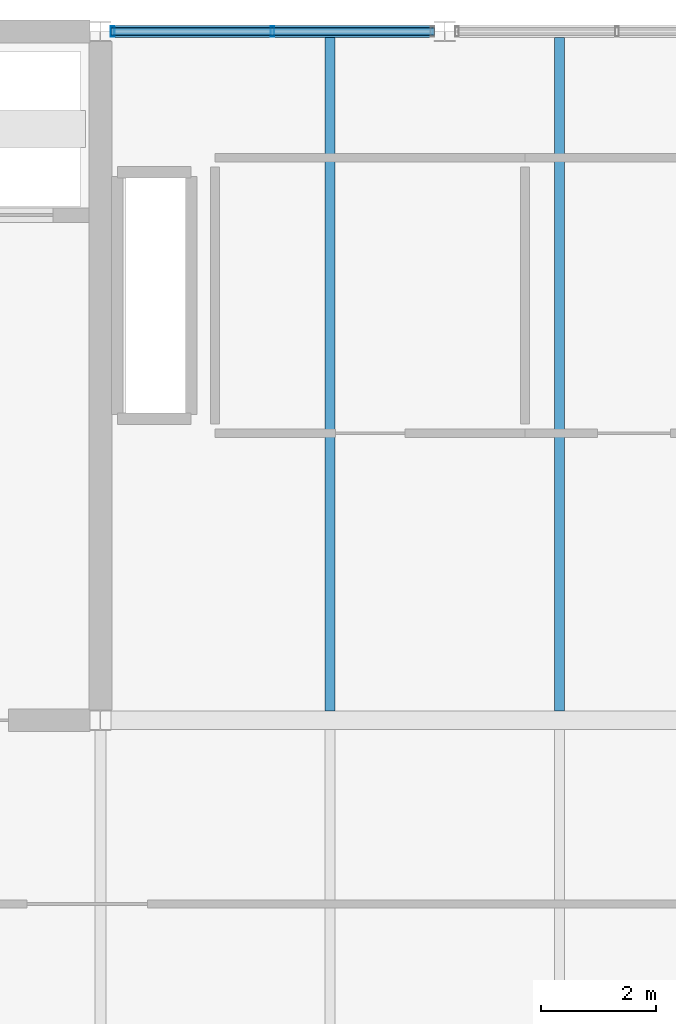
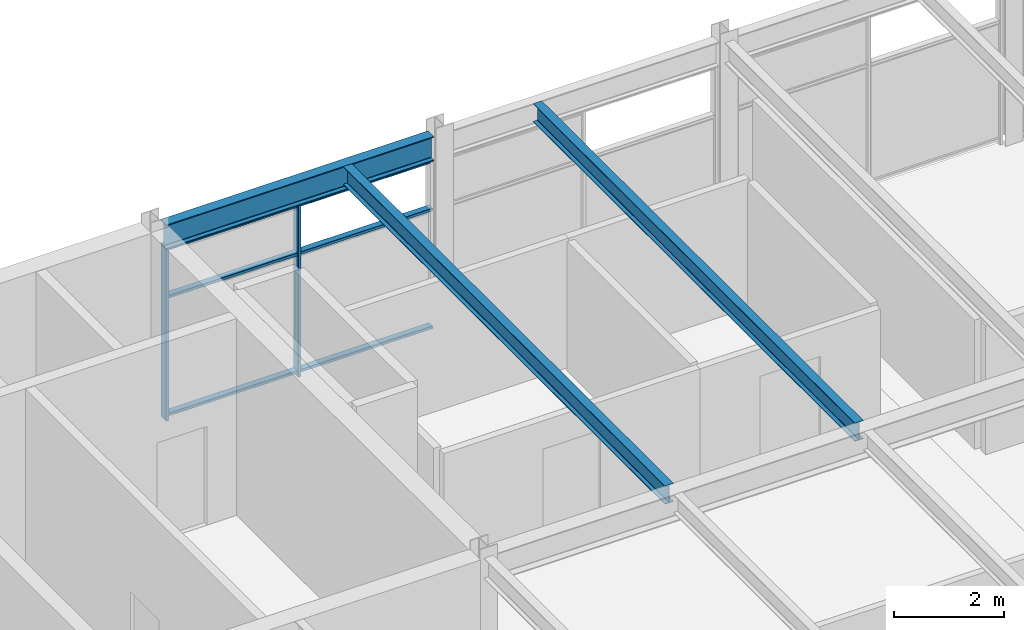
# One storey, part 10 of 28: 5 members, 3 beams, 1 element without a shape of its own.
"""IFC4 building model written with IfcOpenShell, lengths in metres."""

from ifc_helpers import new_model, si_unit, direction, frame, origin, origin_2d, place, context, subcontext, project, spatial, hollow_rectangle, i_section, extrude, material, material_profile, profile_set, type_object, element, aggregate, save


model = new_model("IFC4")

# Units and contexts
model_context = context("Model", 3, precision=1e-05, world=origin(), true_north=direction((0.0, 1.0)))
body_context = subcontext(model_context, "Body", "Model", "MODEL_VIEW")
ifc_project = project(units=[si_unit("LENGTHUNIT", "METRE"), si_unit("AREAUNIT", "SQUARE_METRE"), si_unit("VOLUMEUNIT", "CUBIC_METRE"), si_unit("PLANEANGLEUNIT", "RADIAN"), si_unit("MASSUNIT", "GRAM", prefix="KILO")], contexts=[model_context])

# Site, building, storey
site_placement = place(None, origin())
site = spatial("IfcSite", under=ifc_project, at=site_placement, CompositionType="ELEMENT")
building_placement = place(site_placement, origin())
building = spatial("IfcBuilding", under=site, at=building_placement, Name="Girod Span Mobility Hub", CompositionType="ELEMENT")
storey_placement = place(building_placement, frame((0.0, 0.0, 69.60009765625)))
storey = spatial("IfcBuildingStorey", under=building, at=storey_placement, Name="L17", CompositionType="ELEMENT", Elevation=69.60009765625)

# Beams
ifc_material_1 = material(Name="Steel A992 Grade 50", Category="steel")
ifc_material_profile_1 = material_profile(ifc_material_1, i_section(OverallWidth=0.178955078125, OverallDepth=0.409912109375, WebThickness=0.0087890625, FlangeThickness=0.014404296875, FilletRadius=0.012939453125, at=origin_2d()), Name="W16X45")
ifc_profile_set_1 = profile_set([ifc_material_profile_1], Name="Steel A992 Grade 50")
beam_type_1 = type_object("IfcBeamType", Name="BM-STL-W16X45", PredefinedType="BEAM", material=ifc_profile_set_1)
for number, where, z_axis, x_axis, name in (
    (1, (64.0, 57.158935546875, 4.1748046875), (0.0, 1.0, 0.0), (-1.0, 0.0, 0.0), "Composite Floorbeam 6/E-1 L17"),
    (2, (68.0, 57.158935546875, 4.1748046875), (0.0, 1.0, 0.0), (-1.0, 0.0, 0.0), "Composite Floorbeam 6/E-2 L17"),
):
    element("IfcBeam", number, at=place(storey_placement, frame(where, z_axis=z_axis, x_axis=x_axis)), inside=storey, type_object=beam_type_1, Name=name, PredefinedType="BEAM", context=body_context, shape_type="SweptSolid", body=[
        extrude(i_section(OverallWidth=0.178955078125, OverallDepth=0.409912109375, WebThickness=0.0087890625, FlangeThickness=0.014404296875, FilletRadius=0.012939453125, at=origin_2d()), origin(), (0.0, 0.0, 1.0), 11.738037109375),
    ])
ifc_material_2 = material(Name="Steel A992 Grade 50", Category="steel")
ifc_material_profile_2 = material_profile(ifc_material_2, i_section(OverallWidth=0.2119140625, OverallDepth=0.5439453125, WebThickness=0.01318359375, FlangeThickness=0.021240234375, FilletRadius=0.014892578125, at=origin_2d()), Name="W21X83")
ifc_profile_set_2 = profile_set([ifc_material_profile_2], Name="Steel A992 Grade 50")
beam_type_2 = type_object("IfcBeamType", Name="BM-STL-W21X83", PredefinedType="SPANDREL", material=ifc_profile_set_2)
beam_placement = place(storey_placement, frame((60.181396484375, 69.0, 4.10791015625), z_axis=(1.0, 0.0, 0.0), x_axis=(0.0, 1.0, 0.0)))
element("IfcBeam", 3, at=beam_placement, inside=storey, type_object=beam_type_2, Name="Spandrel Beam 6-7/F-W L17", PredefinedType="SPANDREL", context=body_context, shape_type="SweptSolid", body=[
    extrude(i_section(OverallWidth=0.2119140625, OverallDepth=0.5439453125, WebThickness=0.01318359375, FlangeThickness=0.021240234375, FilletRadius=0.014892578125, at=origin_2d()), origin(), (0.0, 0.0, 1.0), 5.63720703125),
])

# Curtain wall, members
ifc_material_3 = material(Name="Thermally Broken Anodised Aluminium", Category="aluminium")
curtain_wall_type = type_object("IfcCurtainWallType", Name="CW-564X384", PredefinedType="USERDEFINED", material=ifc_material_3)
curtain_wall_placement = place(storey_placement, origin())
curtain_wall = element("IfcCurtainWall", 4, at=curtain_wall_placement, inside=storey, type_object=curtain_wall_type, Name="Unitised Curtain Wall CW-L17-N06W L17", ObjectType="UNITISED CURTAIN WALL", PredefinedType="USERDEFINED")
ifc_material_4 = material(Name="Thermally Broken Anodised Aluminium", Category="aluminium")
ifc_material_profile_3 = material_profile(ifc_material_4, hollow_rectangle(XDim=0.179931640625, YDim=0.06494140625, WallThickness=0.00390625, InnerFilletRadius=0.00390625, OuterFilletRadius=0.008056640625, at=origin_2d()), Name="CW-ML-65X180")
ifc_profile_set_3 = profile_set([ifc_material_profile_3], Name="Thermally Broken Anodised Aluminium")
member_type_1 = type_object("IfcMemberType", Name="CWM-ML-2", PredefinedType="MULLION", material=ifc_profile_set_3)
member_1_placement = place(storey_placement, frame((60.214599609375, 69.0, 0.0), z_axis=(0.0, 0.0, 1.0), x_axis=(0.0, 1.0, 0.0)))
member_1 = element("IfcMember", 5, at=member_1_placement, type_object=member_type_1, Name="Curtain Wall Mullion CW-L17-N06W-M0", PredefinedType="MULLION", context=body_context, shape_type="SweptSolid", body=[
    extrude(hollow_rectangle(XDim=0.179931640625, YDim=0.06494140625, WallThickness=0.00390625, InnerFilletRadius=0.00390625, OuterFilletRadius=0.008056640625, at=origin_2d()), origin(), (0.0, 0.0, 1.0), 3.8359375),
])
member_2_placement = place(storey_placement, frame((63.0, 69.0, 0.0), z_axis=(0.0, 0.0, 1.0), x_axis=(0.0, 1.0, 0.0)))
member_2 = element("IfcMember", 6, at=member_2_placement, type_object=member_type_1, Name="Curtain Wall Mullion CW-L17-N06W-M1", PredefinedType="MULLION", context=body_context, shape_type="SweptSolid", body=[
    extrude(hollow_rectangle(XDim=0.179931640625, YDim=0.06494140625, WallThickness=0.00390625, InnerFilletRadius=0.00390625, OuterFilletRadius=0.008056640625, at=origin_2d()), origin(), (0.0, 0.0, 1.0), 3.8359375),
])
ifc_material_5 = material(Name="Thermally Broken Anodised Aluminium", Category="aluminium")
ifc_material_profile_4 = material_profile(ifc_material_5, hollow_rectangle(XDim=0.135009765625, YDim=0.06494140625, WallThickness=0.00390625, InnerFilletRadius=0.00390625, OuterFilletRadius=0.008056640625, at=origin_2d()), Name="CW-TR-65X135")
ifc_profile_set_4 = profile_set([ifc_material_profile_4], Name="Thermally Broken Anodised Aluminium")
member_type_2 = type_object("IfcMemberType", Name="CWM-TR-2", PredefinedType="USERDEFINED", material=ifc_profile_set_4)
member_3_placement = place(storey_placement, frame((60.1826171875, 69.0, 0.107421875), z_axis=(1.0, 0.0, 0.0), x_axis=(0.0, 1.0, 0.0)))
member_3 = element("IfcMember", 7, at=member_3_placement, type_object=member_type_2, Name="Curtain Wall Transom CW-L17-N06W-T1", ObjectType="TRANSOM", PredefinedType="USERDEFINED", context=body_context, shape_type="SweptSolid", body=[
    extrude(hollow_rectangle(XDim=0.135009765625, YDim=0.06494140625, WallThickness=0.00390625, InnerFilletRadius=0.00390625, OuterFilletRadius=0.008056640625, at=origin_2d()), origin(), (0.0, 0.0, 1.0), 5.634765625),
])
member_4_placement = place(storey_placement, frame((60.1826171875, 69.0, 2.729248046875), z_axis=(1.0, 0.0, 0.0), x_axis=(0.0, 1.0, 0.0)))
member_4 = element("IfcMember", 8, at=member_4_placement, type_object=member_type_2, Name="Curtain Wall Transom CW-L17-N06W-T2", ObjectType="TRANSOM", PredefinedType="USERDEFINED", context=body_context, shape_type="SweptSolid", body=[
    extrude(hollow_rectangle(XDim=0.135009765625, YDim=0.06494140625, WallThickness=0.00390625, InnerFilletRadius=0.00390625, OuterFilletRadius=0.008056640625, at=origin_2d()), origin(), (0.0, 0.0, 1.0), 5.634765625),
])
member_5_placement = place(storey_placement, frame((60.1826171875, 69.0, 3.803466796875), z_axis=(1.0, 0.0, 0.0), x_axis=(0.0, 1.0, 0.0)))
member_5 = element("IfcMember", 9, at=member_5_placement, type_object=member_type_2, Name="Curtain Wall Transom CW-L17-N06W-T3", ObjectType="TRANSOM", PredefinedType="USERDEFINED", context=body_context, shape_type="SweptSolid", body=[
    extrude(hollow_rectangle(XDim=0.135009765625, YDim=0.06494140625, WallThickness=0.00390625, InnerFilletRadius=0.00390625, OuterFilletRadius=0.008056640625, at=origin_2d()), origin(), (0.0, 0.0, 1.0), 5.634765625),
])
aggregate(curtain_wall, [member_1, member_2, member_3, member_4, member_5])

save(model, "model.ifc")
